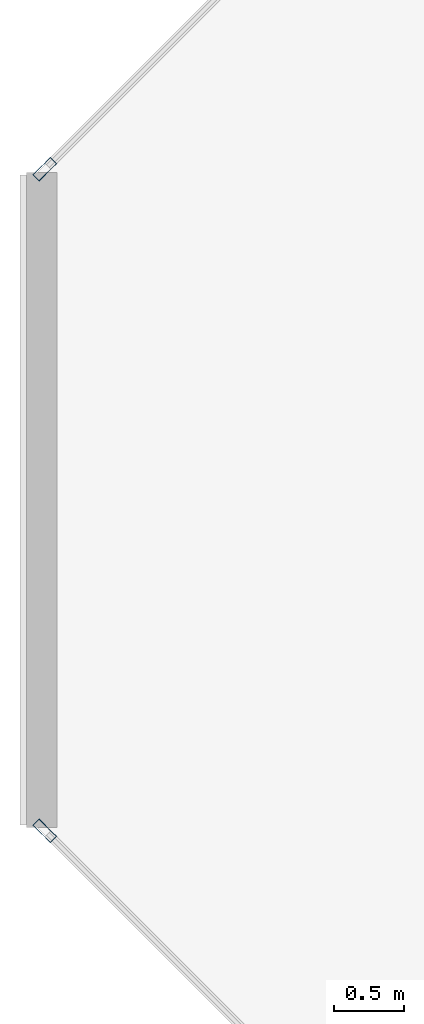
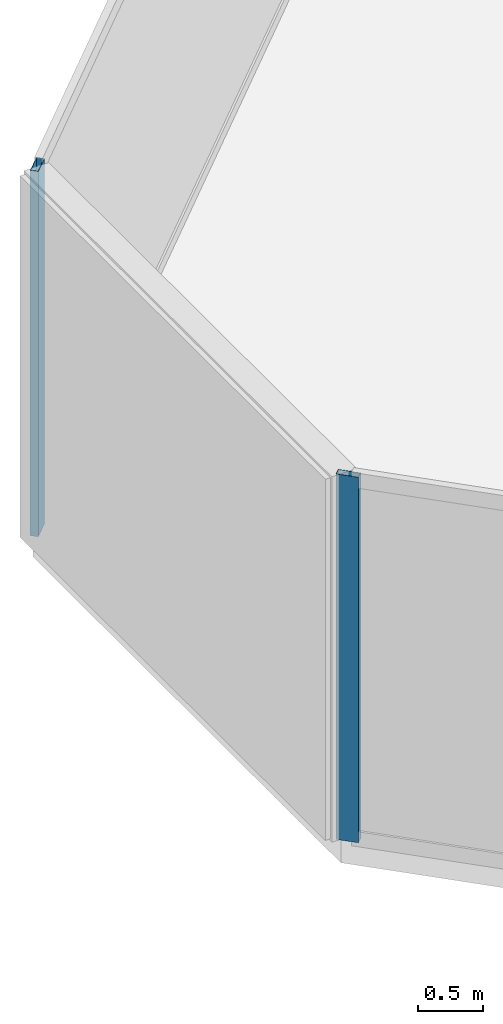
# One storey, part 4 of 17: 2 members, 2 elements without a shape of their own.
"""IFC4 building model written with IfcOpenShell, lengths in metres."""

from ifc_helpers import new_model, si_unit, direction, frame, origin, origin_2d, place, context, subcontext, project, spatial, hollow_rectangle, extrude, material, layer, layer_set, material_profile, profile_set, type_object, element, aggregate, save


model = new_model("IFC4")

# Units and contexts
model_context = context("Model", 3, precision=1e-05, world=origin(), true_north=direction((0.0, 1.0)))
body_context = subcontext(model_context, "Body", "Model", "MODEL_VIEW")
ifc_project = project(units=[si_unit("LENGTHUNIT", "METRE"), si_unit("AREAUNIT", "SQUARE_METRE"), si_unit("VOLUMEUNIT", "CUBIC_METRE"), si_unit("PLANEANGLEUNIT", "RADIAN"), si_unit("MASSUNIT", "GRAM", prefix="KILO")], contexts=[model_context])

# Site, building, storey
site_placement = place(None, origin())
site = spatial("IfcSite", under=ifc_project, at=site_placement, CompositionType="ELEMENT")
building_placement = place(site_placement, origin())
building = spatial("IfcBuilding", under=site, at=building_placement, Name="Tanjung Sevakor Pilgrim Tower", CompositionType="ELEMENT")
storey_placement = place(building_placement, frame((0.0, 0.0, 264.330078125)))
storey = spatial("IfcBuildingStorey", under=building, at=storey_placement, Name="L74", CompositionType="ELEMENT", Elevation=264.330078125)

# Curtain wall, member
ifc_material_1 = material(Name="Aluminium 6063-T6 and Low-E Glass", Category="aluminium")
ifc_layer = layer(ifc_material_1, 0.179931640625)
ifc_layer_set = layer_set([ifc_layer], Name="CW-SYS-CHAM")
curtain_wall_type = type_object("IfcCurtainWallType", Name="CW-SYS-CHAM", PredefinedType="NOTDEFINED", material=ifc_layer_set)
curtain_wall_1_placement = place(storey_placement, origin())
curtain_wall_1 = element("IfcCurtainWall", 1, at=curtain_wall_1_placement, inside=storey, type_object=curtain_wall_type, Name="L74 Curtain Wall CW-CHM-L74-EAST-5", PredefinedType="NOTDEFINED")
ifc_material_2 = material(Name="Aluminium 6063-T6", Category="aluminium")
ifc_material_profile = material_profile(ifc_material_2, hollow_rectangle(XDim=0.06494140625, YDim=0.179931640625, WallThickness=0.00390625, at=origin_2d()))
ifc_profile_set = profile_set([ifc_material_profile], Name="Aluminium 6063-T6")
member_type = type_object("IfcMemberType", Name="TYPE-CWM-1", PredefinedType="MULLION", material=ifc_profile_set)
member_1_placement = place(storey_placement, frame((52.23291015625, 35.977294921875, 0.0), z_axis=(0.0, 0.0, 1.0), x_axis=(0.707106781187, -0.707106781187, 0.0)))
member_1 = element("IfcMember", 2, at=member_1_placement, type_object=member_type, Name="CW-CHM mullion 2", PredefinedType="MULLION", context=body_context, shape_type="SweptSolid", body=[
    extrude(hollow_rectangle(XDim=0.06494140625, YDim=0.179931640625, WallThickness=0.00390625, at=origin_2d()), origin(), (0.0, 0.0, 1.0), 3.409912109375),
])
aggregate(curtain_wall_1, [member_1])

curtain_wall_2_placement = place(storey_placement, origin())
curtain_wall_2 = element("IfcCurtainWall", 3, at=curtain_wall_2_placement, inside=storey, type_object=curtain_wall_type, Name="L74 Curtain Wall CW-CHM-L74-EAST-7", PredefinedType="NOTDEFINED")
member_2_placement = place(storey_placement, frame((52.23291015625, 31.22265625, 0.0), z_axis=(0.0, 0.0, 1.0), x_axis=(0.707106781187, 0.707106781187, 0.0)))
member_2 = element("IfcMember", 4, at=member_2_placement, type_object=member_type, Name="CW-CHM mullion 1", PredefinedType="MULLION", context=body_context, shape_type="SweptSolid", body=[
    extrude(hollow_rectangle(XDim=0.06494140625, YDim=0.179931640625, WallThickness=0.00390625, at=origin_2d()), origin(), (0.0, 0.0, 1.0), 3.409912109375),
])
aggregate(curtain_wall_2, [member_2])

save(model, "model.ifc")
